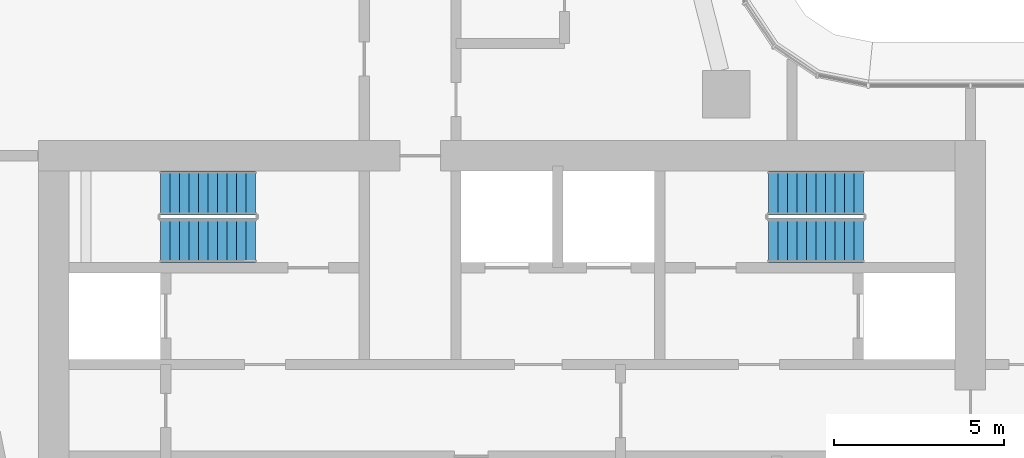
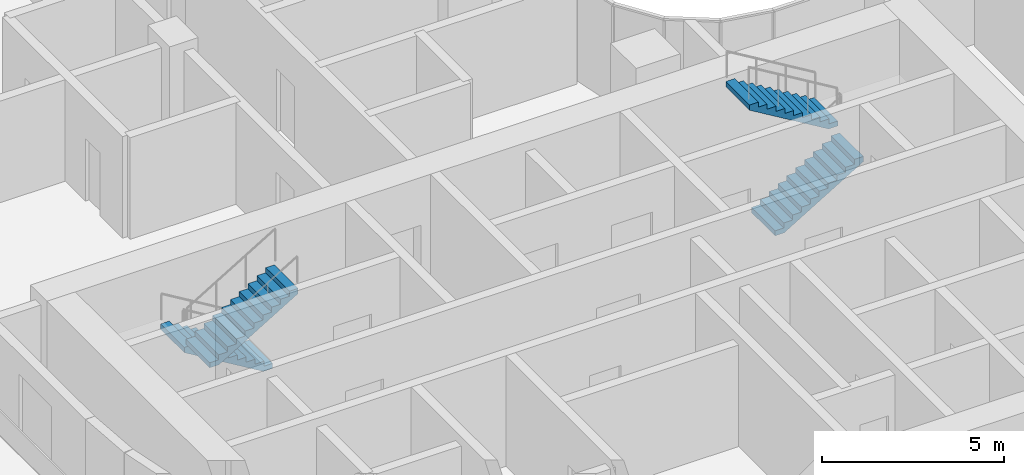
# One storey, part 25 of 36: 4 stair flights, 2 elements without a shape of their own.
"""IFC4 building model written with IfcOpenShell, lengths in metres."""

from ifc_helpers import new_model, si_unit, direction, frame, origin, place, context, subcontext, project, spatial, triangles, source, transform, mapped, material, type_object, element, aggregate, save


model = new_model("IFC4")

# Units and contexts
model_context = context("Model", 3, precision=1e-05, world=origin(), true_north=direction((0.0, 1.0)))
body_context = subcontext(model_context, "Body", "Model", "MODEL_VIEW")
ifc_project = project(units=[si_unit("LENGTHUNIT", "METRE"), si_unit("AREAUNIT", "SQUARE_METRE"), si_unit("VOLUMEUNIT", "CUBIC_METRE"), si_unit("PLANEANGLEUNIT", "RADIAN"), si_unit("MASSUNIT", "GRAM", prefix="KILO")], contexts=[model_context])

# Site, building, storey
site_placement = place(None, origin())
site = spatial("IfcSite", under=ifc_project, at=site_placement, CompositionType="ELEMENT")
building_placement = place(site_placement, origin())
building = spatial("IfcBuilding", under=site, at=building_placement, Name="Ogive Portal Towers", CompositionType="ELEMENT")
storey_placement = place(building_placement, frame((0.0, 0.0, 52.0)))
storey = spatial("IfcBuildingStorey", under=building, at=storey_placement, Name="L11", CompositionType="ELEMENT", Elevation=52.0)

# Stair, stair flights
ifc_material = material(Name="Concrete C40/50", Category="concrete")
stair_type = type_object("IfcStairType", Name="INT-STAIR", PredefinedType="HALF_TURN_STAIR", material=ifc_material)
stair_1_placement = place(storey_placement, origin())
stair_1 = element("IfcStair", 1, at=stair_1_placement, inside=storey, type_object=stair_type, Name="L11 Exit Stair ST-A1", PredefinedType="HALF_TURN_STAIR")
stair_flight_type = type_object("IfcStairFlightType", Name="INT-FLIGHT", PredefinedType="STRAIGHT", material=ifc_material)
shared_shape = source(origin(), body_context, "Body", "Tessellation", [
    triangles([(0.0, -0.650146484375, 0.0), (0.0, -0.376220703125, 0.0), (0.0, -0.192626953125, 0.0), (0.0, -0.081298828125, 0.0), (0.0, -0.024169921875, 0.0), (0.0, -0.003173828125, 0.0), (0.0, 0.0, 0.0), (0.0, 0.0029296875, 0.0), (0.0, 0.02392578125, 0.0), (0.0, 0.0810546875, 0.0), (0.0, 0.1923828125, 0.0), (0.0, 0.3759765625, 0.0), (0.0, 0.64990234375, 0.0), (0.0, -0.650146484375, 0.168212890625), (0.0, -0.376220703125, 0.168212890625), (0.0, -0.192626953125, 0.168212890625), (0.0, -0.081298828125, 0.168212890625), (0.0, -0.024169921875, 0.168212890625), (0.0, -0.003173828125, 0.168212890625), (0.0, 0.0, 0.168212890625), (0.0, 0.0029296875, 0.168212890625), (0.0, 0.02392578125, 0.168212890625), (0.0, 0.0810546875, 0.168212890625), (0.0, 0.1923828125, 0.168212890625), (0.0, 0.3759765625, 0.168212890625), (0.0, 0.64990234375, 0.168212890625), (0.280029296875, -0.650146484375, 0.168212890625), (0.280029296875, -0.376220703125, 0.168212890625), (0.280029296875, -0.192626953125, 0.168212890625), (0.280029296875, -0.081298828125, 0.168212890625), (0.280029296875, -0.024169921875, 0.168212890625), (0.280029296875, -0.003173828125, 0.168212890625), (0.280029296875, 0.0, 0.168212890625), (0.280029296875, 0.0029296875, 0.168212890625), (0.280029296875, 0.02392578125, 0.168212890625), (0.280029296875, 0.0810546875, 0.168212890625), (0.280029296875, 0.1923828125, 0.168212890625), (0.280029296875, 0.3759765625, 0.168212890625), (0.280029296875, 0.64990234375, 0.168212890625), (0.280029296875, -0.650146484375, 0.33642578125), (0.280029296875, -0.376220703125, 0.33642578125), (0.280029296875, -0.192626953125, 0.33642578125), (0.280029296875, -0.081298828125, 0.33642578125), (0.280029296875, -0.024169921875, 0.33642578125), (0.280029296875, -0.003173828125, 0.33642578125), (0.280029296875, 0.0, 0.33642578125), (0.280029296875, 0.0029296875, 0.33642578125), (0.280029296875, 0.02392578125, 0.33642578125), (0.280029296875, 0.0810546875, 0.33642578125), (0.280029296875, 0.1923828125, 0.33642578125), (0.280029296875, 0.3759765625, 0.33642578125), (0.280029296875, 0.64990234375, 0.33642578125), (0.56005859375, -0.650146484375, 0.33642578125), (0.56005859375, -0.376220703125, 0.33642578125), (0.56005859375, -0.192626953125, 0.33642578125), (0.56005859375, -0.081298828125, 0.33642578125), (0.56005859375, -0.024169921875, 0.33642578125), (0.56005859375, -0.003173828125, 0.33642578125), (0.56005859375, 0.0, 0.33642578125), (0.56005859375, 0.0029296875, 0.33642578125), (0.56005859375, 0.02392578125, 0.33642578125), (0.56005859375, 0.0810546875, 0.33642578125), (0.56005859375, 0.1923828125, 0.33642578125), (0.56005859375, 0.3759765625, 0.33642578125), (0.56005859375, 0.64990234375, 0.33642578125), (0.56005859375, -0.650146484375, 0.504638671875), (0.56005859375, -0.376220703125, 0.504638671875), (0.56005859375, -0.192626953125, 0.504638671875), (0.56005859375, -0.081298828125, 0.504638671875), (0.56005859375, -0.024169921875, 0.504638671875), (0.56005859375, -0.003173828125, 0.504638671875), (0.56005859375, 0.0, 0.504638671875), (0.56005859375, 0.0029296875, 0.504638671875), (0.56005859375, 0.02392578125, 0.504638671875), (0.56005859375, 0.0810546875, 0.504638671875), (0.56005859375, 0.1923828125, 0.504638671875), (0.56005859375, 0.3759765625, 0.504638671875), (0.56005859375, 0.64990234375, 0.504638671875), (0.840087890625, -0.650146484375, 0.504638671875), (0.840087890625, -0.376220703125, 0.504638671875), (0.840087890625, -0.192626953125, 0.504638671875), (0.840087890625, -0.081298828125, 0.504638671875), (0.840087890625, -0.024169921875, 0.504638671875), (0.840087890625, -0.003173828125, 0.504638671875), (0.840087890625, 0.0, 0.504638671875), (0.840087890625, 0.0029296875, 0.504638671875), (0.840087890625, 0.02392578125, 0.504638671875), (0.840087890625, 0.0810546875, 0.504638671875), (0.840087890625, 0.1923828125, 0.504638671875), (0.840087890625, 0.3759765625, 0.504638671875), (0.840087890625, 0.64990234375, 0.504638671875), (0.840087890625, -0.650146484375, 0.672607421875), (0.840087890625, -0.376220703125, 0.672607421875), (0.840087890625, -0.192626953125, 0.672607421875), (0.840087890625, -0.081298828125, 0.672607421875), (0.840087890625, -0.024169921875, 0.672607421875), (0.840087890625, -0.003173828125, 0.672607421875), (0.840087890625, 0.0, 0.672607421875), (0.840087890625, 0.0029296875, 0.672607421875), (0.840087890625, 0.02392578125, 0.672607421875), (0.840087890625, 0.0810546875, 0.672607421875), (0.840087890625, 0.1923828125, 0.672607421875), (0.840087890625, 0.3759765625, 0.672607421875), (0.840087890625, 0.64990234375, 0.672607421875), (1.1201171875, -0.650146484375, 0.672607421875), (1.1201171875, -0.376220703125, 0.672607421875), (1.1201171875, -0.192626953125, 0.672607421875), (1.1201171875, -0.081298828125, 0.672607421875), (1.1201171875, -0.024169921875, 0.672607421875), (1.1201171875, -0.003173828125, 0.672607421875), (1.1201171875, 0.0, 0.672607421875), (1.1201171875, 0.0029296875, 0.672607421875), (1.1201171875, 0.02392578125, 0.672607421875), (1.1201171875, 0.0810546875, 0.672607421875), (1.1201171875, 0.1923828125, 0.672607421875), (1.1201171875, 0.3759765625, 0.672607421875), (1.1201171875, 0.64990234375, 0.672607421875), (1.1201171875, -0.650146484375, 0.8408203125), (1.1201171875, -0.376220703125, 0.8408203125), (1.1201171875, -0.192626953125, 0.8408203125), (1.1201171875, -0.081298828125, 0.8408203125), (1.1201171875, -0.024169921875, 0.8408203125), (1.1201171875, -0.003173828125, 0.8408203125), (1.1201171875, 0.0, 0.8408203125), (1.1201171875, 0.0029296875, 0.8408203125), (1.1201171875, 0.02392578125, 0.8408203125), (1.1201171875, 0.0810546875, 0.8408203125), (1.1201171875, 0.1923828125, 0.8408203125), (1.1201171875, 0.3759765625, 0.8408203125), (1.1201171875, 0.64990234375, 0.8408203125), (1.39990234375, -0.650146484375, 0.8408203125), (1.39990234375, -0.376220703125, 0.8408203125), (1.39990234375, -0.192626953125, 0.8408203125), (1.39990234375, -0.081298828125, 0.8408203125), (1.39990234375, -0.024169921875, 0.8408203125), (1.39990234375, -0.003173828125, 0.8408203125), (1.39990234375, 0.0, 0.8408203125), (1.39990234375, 0.0029296875, 0.8408203125), (1.39990234375, 0.02392578125, 0.8408203125), (1.39990234375, 0.0810546875, 0.8408203125), (1.39990234375, 0.1923828125, 0.8408203125), (1.39990234375, 0.3759765625, 0.8408203125), (1.39990234375, 0.64990234375, 0.8408203125), (1.39990234375, -0.650146484375, 1.009033203125), (1.39990234375, -0.376220703125, 1.009033203125), (1.39990234375, -0.192626953125, 1.009033203125), (1.39990234375, -0.081298828125, 1.009033203125), (1.39990234375, -0.024169921875, 1.009033203125), (1.39990234375, -0.003173828125, 1.009033203125), (1.39990234375, 0.0, 1.009033203125), (1.39990234375, 0.0029296875, 1.009033203125), (1.39990234375, 0.02392578125, 1.009033203125), (1.39990234375, 0.0810546875, 1.009033203125), (1.39990234375, 0.1923828125, 1.009033203125), (1.39990234375, 0.3759765625, 1.009033203125), (1.39990234375, 0.64990234375, 1.009033203125), (1.679931640625, -0.650146484375, 1.009033203125), (1.679931640625, -0.376220703125, 1.009033203125), (1.679931640625, -0.192626953125, 1.009033203125), (1.679931640625, -0.081298828125, 1.009033203125), (1.679931640625, -0.024169921875, 1.009033203125), (1.679931640625, -0.003173828125, 1.009033203125), (1.679931640625, 0.0, 1.009033203125), (1.679931640625, 0.0029296875, 1.009033203125), (1.679931640625, 0.02392578125, 1.009033203125), (1.679931640625, 0.0810546875, 1.009033203125), (1.679931640625, 0.1923828125, 1.009033203125), (1.679931640625, 0.3759765625, 1.009033203125), (1.679931640625, 0.64990234375, 1.009033203125), (1.679931640625, -0.650146484375, 1.17724609375), (1.679931640625, -0.376220703125, 1.17724609375), (1.679931640625, -0.192626953125, 1.17724609375), (1.679931640625, -0.081298828125, 1.17724609375), (1.679931640625, -0.024169921875, 1.17724609375), (1.679931640625, -0.003173828125, 1.17724609375), (1.679931640625, 0.0, 1.17724609375), (1.679931640625, 0.0029296875, 1.17724609375), (1.679931640625, 0.02392578125, 1.17724609375), (1.679931640625, 0.0810546875, 1.17724609375), (1.679931640625, 0.1923828125, 1.17724609375), (1.679931640625, 0.3759765625, 1.17724609375), (1.679931640625, 0.64990234375, 1.17724609375), (1.9599609375, -0.650146484375, 1.17724609375), (1.9599609375, -0.376220703125, 1.17724609375), (1.9599609375, -0.192626953125, 1.17724609375), (1.9599609375, -0.081298828125, 1.17724609375), (1.9599609375, -0.024169921875, 1.17724609375), (1.9599609375, -0.003173828125, 1.17724609375), (1.9599609375, 0.0, 1.17724609375), (1.9599609375, 0.0029296875, 1.17724609375), (1.9599609375, 0.02392578125, 1.17724609375), (1.9599609375, 0.0810546875, 1.17724609375), (1.9599609375, 0.1923828125, 1.17724609375), (1.9599609375, 0.3759765625, 1.17724609375), (1.9599609375, 0.64990234375, 1.17724609375), (1.9599609375, -0.650146484375, 1.345458984375), (1.9599609375, -0.376220703125, 1.345458984375), (1.9599609375, -0.192626953125, 1.345458984375), (1.9599609375, -0.081298828125, 1.345458984375), (1.9599609375, -0.024169921875, 1.345458984375), (1.9599609375, -0.003173828125, 1.345458984375), (1.9599609375, 0.0, 1.345458984375), (1.9599609375, 0.0029296875, 1.345458984375), (1.9599609375, 0.02392578125, 1.345458984375), (1.9599609375, 0.0810546875, 1.345458984375), (1.9599609375, 0.1923828125, 1.345458984375), (1.9599609375, 0.3759765625, 1.345458984375), (1.9599609375, 0.64990234375, 1.345458984375), (2.239990234375, -0.650146484375, 1.345458984375), (2.239990234375, -0.376220703125, 1.345458984375), (2.239990234375, -0.192626953125, 1.345458984375), (2.239990234375, -0.081298828125, 1.345458984375), (2.239990234375, -0.024169921875, 1.345458984375), (2.239990234375, -0.003173828125, 1.345458984375), (2.239990234375, 0.0, 1.345458984375), (2.239990234375, 0.0029296875, 1.345458984375), (2.239990234375, 0.02392578125, 1.345458984375), (2.239990234375, 0.0810546875, 1.345458984375), (2.239990234375, 0.1923828125, 1.345458984375), (2.239990234375, 0.3759765625, 1.345458984375), (2.239990234375, 0.64990234375, 1.345458984375), (2.239990234375, -0.650146484375, 1.513671875), (2.239990234375, -0.376220703125, 1.513671875), (2.239990234375, -0.192626953125, 1.513671875), (2.239990234375, -0.081298828125, 1.513671875), (2.239990234375, -0.024169921875, 1.513671875), (2.239990234375, -0.003173828125, 1.513671875), (2.239990234375, 0.0, 1.513671875), (2.239990234375, 0.0029296875, 1.513671875), (2.239990234375, 0.02392578125, 1.513671875), (2.239990234375, 0.0810546875, 1.513671875), (2.239990234375, 0.1923828125, 1.513671875), (2.239990234375, 0.3759765625, 1.513671875), (2.239990234375, 0.64990234375, 1.513671875), (2.52001953125, -0.650146484375, 1.513671875), (2.52001953125, -0.376220703125, 1.513671875), (2.52001953125, -0.192626953125, 1.513671875), (2.52001953125, -0.081298828125, 1.513671875), (2.52001953125, -0.024169921875, 1.513671875), (2.52001953125, -0.003173828125, 1.513671875), (2.52001953125, 0.0, 1.513671875), (2.52001953125, 0.0029296875, 1.513671875), (2.52001953125, 0.02392578125, 1.513671875), (2.52001953125, 0.0810546875, 1.513671875), (2.52001953125, 0.1923828125, 1.513671875), (2.52001953125, 0.3759765625, 1.513671875), (2.52001953125, 0.64990234375, 1.513671875), (2.52001953125, -0.650146484375, 1.681884765625), (2.52001953125, -0.376220703125, 1.681884765625), (2.52001953125, -0.192626953125, 1.681884765625), (2.52001953125, -0.081298828125, 1.681884765625), (2.52001953125, -0.024169921875, 1.681884765625), (2.52001953125, -0.003173828125, 1.681884765625), (2.52001953125, 0.0, 1.681884765625), (2.52001953125, 0.0029296875, 1.681884765625), (2.52001953125, 0.02392578125, 1.681884765625), (2.52001953125, 0.0810546875, 1.681884765625), (2.52001953125, 0.1923828125, 1.681884765625), (2.52001953125, 0.3759765625, 1.681884765625), (2.52001953125, 0.64990234375, 1.681884765625), (2.800048828125, -0.650146484375, 1.681884765625), (2.800048828125, -0.376220703125, 1.681884765625), (2.800048828125, -0.192626953125, 1.681884765625), (2.800048828125, -0.081298828125, 1.681884765625), (2.800048828125, -0.024169921875, 1.681884765625), (2.800048828125, -0.003173828125, 1.681884765625), (2.800048828125, 0.0, 1.681884765625), (2.800048828125, 0.0029296875, 1.681884765625), (2.800048828125, 0.02392578125, 1.681884765625), (2.800048828125, 0.0810546875, 1.681884765625), (2.800048828125, 0.1923828125, 1.681884765625), (2.800048828125, 0.3759765625, 1.681884765625), (2.800048828125, 0.64990234375, 1.681884765625), (2.800048828125, -0.650146484375, 1.5068359375), (2.800048828125, -0.376220703125, 1.5068359375), (2.800048828125, -0.192626953125, 1.5068359375), (2.800048828125, -0.081298828125, 1.5068359375), (2.800048828125, -0.024169921875, 1.5068359375), (2.800048828125, -0.003173828125, 1.5068359375), (2.800048828125, 0.0, 1.5068359375), (2.800048828125, 0.0029296875, 1.5068359375), (2.800048828125, 0.02392578125, 1.5068359375), (2.800048828125, 0.0810546875, 1.5068359375), (2.800048828125, 0.1923828125, 1.5068359375), (2.800048828125, 0.3759765625, 1.5068359375), (2.800048828125, 0.64990234375, 1.5068359375), (0.291015625, -0.650146484375, 0.0), (0.291015625, -0.376220703125, 0.0), (0.291015625, -0.192626953125, 0.0), (0.291015625, -0.081298828125, 0.0), (0.291015625, -0.024169921875, 0.0), (0.291015625, -0.003173828125, 0.0), (0.291015625, 0.0, 0.0), (0.291015625, 0.0029296875, 0.0), (0.291015625, 0.02392578125, 0.0), (0.291015625, 0.0810546875, 0.0), (0.291015625, 0.1923828125, 0.0), (0.291015625, 0.3759765625, 0.0), (0.291015625, 0.64990234375, 0.0)], [[1, 14, 15], [1, 15, 2], [2, 15, 16], [2, 16, 3], [3, 16, 17], [3, 17, 4], [4, 17, 18], [4, 18, 5], [5, 18, 19], [5, 19, 6], [6, 19, 20], [6, 20, 7], [7, 20, 21], [7, 21, 8], [8, 21, 22], [8, 22, 9], [9, 22, 23], [9, 23, 10], [10, 23, 24], [10, 24, 11], [11, 24, 25], [11, 25, 12], [12, 25, 26], [12, 26, 13], [14, 27, 28], [14, 28, 15], [15, 28, 29], [15, 29, 16], [16, 29, 30], [16, 30, 17], [17, 30, 31], [17, 31, 18], [18, 31, 32], [18, 32, 19], [19, 32, 33], [19, 33, 20], [20, 33, 34], [20, 34, 21], [21, 34, 35], [21, 35, 22], [22, 35, 36], [22, 36, 23], [23, 36, 37], [23, 37, 24], [24, 37, 38], [24, 38, 25], [25, 38, 39], [25, 39, 26], [27, 40, 41], [27, 41, 28], [28, 41, 42], [28, 42, 29], [29, 42, 43], [29, 43, 30], [30, 43, 44], [30, 44, 31], [31, 44, 45], [31, 45, 32], [32, 45, 46], [32, 46, 33], [33, 46, 47], [33, 47, 34], [34, 47, 48], [34, 48, 35], [35, 48, 49], [35, 49, 36], [36, 49, 50], [36, 50, 37], [37, 50, 51], [37, 51, 38], [38, 51, 52], [38, 52, 39], [40, 53, 54], [40, 54, 41], [41, 54, 55], [41, 55, 42], [42, 55, 56], [42, 56, 43], [43, 56, 57], [43, 57, 44], [44, 57, 58], [44, 58, 45], [45, 58, 59], [45, 59, 46], [46, 59, 60], [46, 60, 47], [47, 60, 61], [47, 61, 48], [48, 61, 62], [48, 62, 49], [49, 62, 63], [49, 63, 50], [50, 63, 64], [50, 64, 51], [51, 64, 65], [51, 65, 52], [53, 66, 67], [53, 67, 54], [54, 67, 68], [54, 68, 55], [55, 68, 69], [55, 69, 56], [56, 69, 70], [56, 70, 57], [57, 70, 71], [57, 71, 58], [58, 71, 72], [58, 72, 59], [59, 72, 73], [59, 73, 60], [60, 73, 74], [60, 74, 61], [61, 74, 75], [61, 75, 62], [62, 75, 76], [62, 76, 63], [63, 76, 77], [63, 77, 64], [64, 77, 78], [64, 78, 65], [66, 79, 80], [66, 80, 67], [67, 80, 81], [67, 81, 68], [68, 81, 82], [68, 82, 69], [69, 82, 83], [69, 83, 70], [70, 83, 84], [70, 84, 71], [71, 84, 85], [71, 85, 72], [72, 85, 86], [72, 86, 73], [73, 86, 87], [73, 87, 74], [74, 87, 88], [74, 88, 75], [75, 88, 89], [75, 89, 76], [76, 89, 90], [76, 90, 77], [77, 90, 91], [77, 91, 78], [79, 92, 93], [79, 93, 80], [80, 93, 94], [80, 94, 81], [81, 94, 95], [81, 95, 82], [82, 95, 96], [82, 96, 83], [83, 96, 97], [83, 97, 84], [84, 97, 98], [84, 98, 85], [85, 98, 99], [85, 99, 86], [86, 99, 100], [86, 100, 87], [87, 100, 101], [87, 101, 88], [88, 101, 102], [88, 102, 89], [89, 102, 103], [89, 103, 90], [90, 103, 104], [90, 104, 91], [92, 105, 106], [92, 106, 93], [93, 106, 107], [93, 107, 94], [94, 107, 108], [94, 108, 95], [95, 108, 109], [95, 109, 96], [96, 109, 110], [96, 110, 97], [97, 110, 111], [97, 111, 98], [98, 111, 112], [98, 112, 99], [99, 112, 113], [99, 113, 100], [100, 113, 114], [100, 114, 101], [101, 114, 115], [101, 115, 102], [102, 115, 116], [102, 116, 103], [103, 116, 117], [103, 117, 104], [105, 118, 119], [105, 119, 106], [106, 119, 120], [106, 120, 107], [107, 120, 121], [107, 121, 108], [108, 121, 122], [108, 122, 109], [109, 122, 123], [109, 123, 110], [110, 123, 124], [110, 124, 111], [111, 124, 125], [111, 125, 112], [112, 125, 126], [112, 126, 113], [113, 126, 127], [113, 127, 114], [114, 127, 128], [114, 128, 115], [115, 128, 129], [115, 129, 116], [116, 129, 130], [116, 130, 117], [118, 131, 132], [118, 132, 119], [119, 132, 133], [119, 133, 120], [120, 133, 134], [120, 134, 121], [121, 134, 135], [121, 135, 122], [122, 135, 136], [122, 136, 123], [123, 136, 137], [123, 137, 124], [124, 137, 138], [124, 138, 125], [125, 138, 139], [125, 139, 126], [126, 139, 140], [126, 140, 127], [127, 140, 141], [127, 141, 128], [128, 141, 142], [128, 142, 129], [129, 142, 143], [129, 143, 130], [131, 144, 145], [131, 145, 132], [132, 145, 146], [132, 146, 133], [133, 146, 147], [133, 147, 134], [134, 147, 148], [134, 148, 135], [135, 148, 149], [135, 149, 136], [136, 149, 150], [136, 150, 137], [137, 150, 151], [137, 151, 138], [138, 151, 152], [138, 152, 139], [139, 152, 153], [139, 153, 140], [140, 153, 154], [140, 154, 141], [141, 154, 155], [141, 155, 142], [142, 155, 156], [142, 156, 143], [144, 157, 158], [144, 158, 145], [145, 158, 159], [145, 159, 146], [146, 159, 160], [146, 160, 147], [147, 160, 161], [147, 161, 148], [148, 161, 162], [148, 162, 149], [149, 162, 163], [149, 163, 150], [150, 163, 164], [150, 164, 151], [151, 164, 165], [151, 165, 152], [152, 165, 166], [152, 166, 153], [153, 166, 167], [153, 167, 154], [154, 167, 168], [154, 168, 155], [155, 168, 169], [155, 169, 156], [157, 170, 171], [157, 171, 158], [158, 171, 172], [158, 172, 159], [159, 172, 173], [159, 173, 160], [160, 173, 174], [160, 174, 161], [161, 174, 175], [161, 175, 162], [162, 175, 176], [162, 176, 163], [163, 176, 177], [163, 177, 164], [164, 177, 178], [164, 178, 165], [165, 178, 179], [165, 179, 166], [166, 179, 180], [166, 180, 167], [167, 180, 181], [167, 181, 168], [168, 181, 182], [168, 182, 169], [170, 183, 184], [170, 184, 171], [171, 184, 185], [171, 185, 172], [172, 185, 186], [172, 186, 173], [173, 186, 187], [173, 187, 174], [174, 187, 188], [174, 188, 175], [175, 188, 189], [175, 189, 176], [176, 189, 190], [176, 190, 177], [177, 190, 191], [177, 191, 178], [178, 191, 192], [178, 192, 179], [179, 192, 193], [179, 193, 180], [180, 193, 194], [180, 194, 181], [181, 194, 195], [181, 195, 182], [183, 196, 197], [183, 197, 184], [184, 197, 198], [184, 198, 185], [185, 198, 199], [185, 199, 186], [186, 199, 200], [186, 200, 187], [187, 200, 201], [187, 201, 188], [188, 201, 202], [188, 202, 189], [189, 202, 203], [189, 203, 190], [190, 203, 204], [190, 204, 191], [191, 204, 205], [191, 205, 192], [192, 205, 206], [192, 206, 193], [193, 206, 207], [193, 207, 194], [194, 207, 208], [194, 208, 195], [196, 209, 210], [196, 210, 197], [197, 210, 211], [197, 211, 198], [198, 211, 212], [198, 212, 199], [199, 212, 213], [199, 213, 200], [200, 213, 214], [200, 214, 201], [201, 214, 215], [201, 215, 202], [202, 215, 216], [202, 216, 203], [203, 216, 217], [203, 217, 204], [204, 217, 218], [204, 218, 205], [205, 218, 219], [205, 219, 206], [206, 219, 220], [206, 220, 207], [207, 220, 221], [207, 221, 208], [209, 222, 223], [209, 223, 210], [210, 223, 224], [210, 224, 211], [211, 224, 225], [211, 225, 212], [212, 225, 226], [212, 226, 213], [213, 226, 227], [213, 227, 214], [214, 227, 228], [214, 228, 215], [215, 228, 229], [215, 229, 216], [216, 229, 230], [216, 230, 217], [217, 230, 231], [217, 231, 218], [218, 231, 232], [218, 232, 219], [219, 232, 233], [219, 233, 220], [220, 233, 234], [220, 234, 221], [222, 235, 236], [222, 236, 223], [223, 236, 237], [223, 237, 224], [224, 237, 238], [224, 238, 225], [225, 238, 239], [225, 239, 226], [226, 239, 240], [226, 240, 227], [227, 240, 241], [227, 241, 228], [228, 241, 242], [228, 242, 229], [229, 242, 243], [229, 243, 230], [230, 243, 244], [230, 244, 231], [231, 244, 245], [231, 245, 232], [232, 245, 246], [232, 246, 233], [233, 246, 247], [233, 247, 234], [235, 248, 249], [235, 249, 236], [236, 249, 250], [236, 250, 237], [237, 250, 251], [237, 251, 238], [238, 251, 252], [238, 252, 239], [239, 252, 253], [239, 253, 240], [240, 253, 254], [240, 254, 241], [241, 254, 255], [241, 255, 242], [242, 255, 256], [242, 256, 243], [243, 256, 257], [243, 257, 244], [244, 257, 258], [244, 258, 245], [245, 258, 259], [245, 259, 246], [246, 259, 260], [246, 260, 247], [248, 261, 262], [248, 262, 249], [249, 262, 263], [249, 263, 250], [250, 263, 264], [250, 264, 251], [251, 264, 265], [251, 265, 252], [252, 265, 266], [252, 266, 253], [253, 266, 267], [253, 267, 254], [254, 267, 268], [254, 268, 255], [255, 268, 269], [255, 269, 256], [256, 269, 270], [256, 270, 257], [257, 270, 271], [257, 271, 258], [258, 271, 272], [258, 272, 259], [259, 272, 273], [259, 273, 260], [261, 274, 275], [261, 275, 262], [262, 275, 276], [262, 276, 263], [263, 276, 277], [263, 277, 264], [264, 277, 278], [264, 278, 265], [265, 278, 279], [265, 279, 266], [266, 279, 280], [266, 280, 267], [267, 280, 281], [267, 281, 268], [268, 281, 282], [268, 282, 269], [269, 282, 283], [269, 283, 270], [270, 283, 284], [270, 284, 271], [271, 284, 285], [271, 285, 272], [272, 285, 286], [272, 286, 273], [274, 287, 288], [274, 288, 275], [275, 288, 289], [275, 289, 276], [276, 289, 290], [276, 290, 277], [277, 290, 291], [277, 291, 278], [278, 291, 292], [278, 292, 279], [279, 292, 293], [279, 293, 280], [280, 293, 294], [280, 294, 281], [281, 294, 295], [281, 295, 282], [282, 295, 296], [282, 296, 283], [283, 296, 297], [283, 297, 284], [284, 297, 298], [284, 298, 285], [285, 298, 299], [285, 299, 286], [287, 1, 2], [287, 2, 288], [288, 2, 3], [288, 3, 289], [289, 3, 4], [289, 4, 290], [290, 4, 5], [290, 5, 291], [291, 5, 6], [291, 6, 292], [292, 6, 7], [292, 7, 293], [293, 7, 8], [293, 8, 294], [294, 8, 9], [294, 9, 295], [295, 9, 10], [295, 10, 296], [296, 10, 11], [296, 11, 297], [297, 11, 12], [297, 12, 298], [298, 12, 13], [298, 13, 299], [1, 287, 274], [13, 286, 299], [274, 261, 248], [286, 260, 273], [274, 248, 235], [286, 247, 260], [274, 235, 222], [286, 234, 247], [274, 222, 209], [286, 221, 234], [209, 196, 183], [221, 195, 208], [274, 209, 183], [286, 195, 221], [183, 170, 157], [195, 169, 182], [274, 183, 157], [286, 169, 195], [157, 144, 131], [169, 143, 156], [274, 157, 131], [286, 143, 169], [131, 118, 105], [143, 117, 130], [274, 131, 105], [286, 117, 143], [1, 274, 105], [13, 117, 286], [105, 92, 79], [117, 91, 104], [79, 66, 53], [91, 65, 78], [105, 79, 53], [117, 65, 91], [53, 40, 27], [65, 39, 52], [105, 53, 27], [117, 39, 65], [1, 105, 27], [13, 39, 117], [27, 14, 1], [39, 13, 26]], closed=True),
])
stair_flight_1_placement = place(storey_placement, frame((37.449951171875, 38.39990234375, 0.0), z_axis=(0.0, 0.0, 1.0), x_axis=(-1.0, 0.0, 0.0)))
stair_flight_1 = element("IfcStairFlight", 2, at=stair_flight_1_placement, type_object=stair_flight_type, Name="ST-A1 flight 1", NumberOfRisers=11, NumberOfTreads=10, PredefinedType="STRAIGHT", RiserHeight=0.168181818, TreadLength=0.28, context=body_context, shape_type="MappedRepresentation", body=[
    mapped(shared_shape, transform((0.0, 0.0, 0.0), scale=1.0)),
])
stair_flight_2_placement = place(storey_placement, frame((34.64990234375, 37.0, 1.85009765625), z_axis=(0.0, 0.0, 1.0), x_axis=(1.0, 0.0, 0.0)))
stair_flight_2 = element("IfcStairFlight", 3, at=stair_flight_2_placement, type_object=stair_flight_type, Name="ST-A1 flight 2", NumberOfRisers=11, NumberOfTreads=10, PredefinedType="STRAIGHT", RiserHeight=0.168181818, TreadLength=0.28, context=body_context, shape_type="MappedRepresentation", body=[
    mapped(shared_shape, transform((0.0, 0.0, 0.0), scale=1.0)),
])
aggregate(stair_1, [stair_flight_1, stair_flight_2])

stair_2_placement = place(storey_placement, origin())
stair_2 = element("IfcStair", 4, at=stair_2_placement, inside=storey, type_object=stair_type, Name="L11 Exit Stair ST-A2", PredefinedType="HALF_TURN_STAIR")
stair_flight_3_placement = place(storey_placement, frame((52.550048828125, 37.0, 0.0), z_axis=(0.0, 0.0, 1.0), x_axis=(1.0, 0.0, 0.0)))
stair_flight_3 = element("IfcStairFlight", 5, at=stair_flight_3_placement, type_object=stair_flight_type, Name="ST-A2 flight 1", NumberOfRisers=11, NumberOfTreads=10, PredefinedType="STRAIGHT", RiserHeight=0.168181818, TreadLength=0.28, context=body_context, shape_type="MappedRepresentation", body=[
    mapped(shared_shape, transform((0.0, 0.0, 0.0), scale=1.0)),
])
stair_flight_4_placement = place(storey_placement, frame((55.35009765625, 38.39990234375, 1.85009765625), z_axis=(0.0, 0.0, 1.0), x_axis=(-1.0, 0.0, 0.0)))
stair_flight_4 = element("IfcStairFlight", 6, at=stair_flight_4_placement, type_object=stair_flight_type, Name="ST-A2 flight 2", NumberOfRisers=11, NumberOfTreads=10, PredefinedType="STRAIGHT", RiserHeight=0.168181818, TreadLength=0.28, context=body_context, shape_type="MappedRepresentation", body=[
    mapped(shared_shape, transform((0.0, 0.0, 0.0), scale=1.0)),
])
aggregate(stair_2, [stair_flight_3, stair_flight_4])

save(model, "model.ifc")
